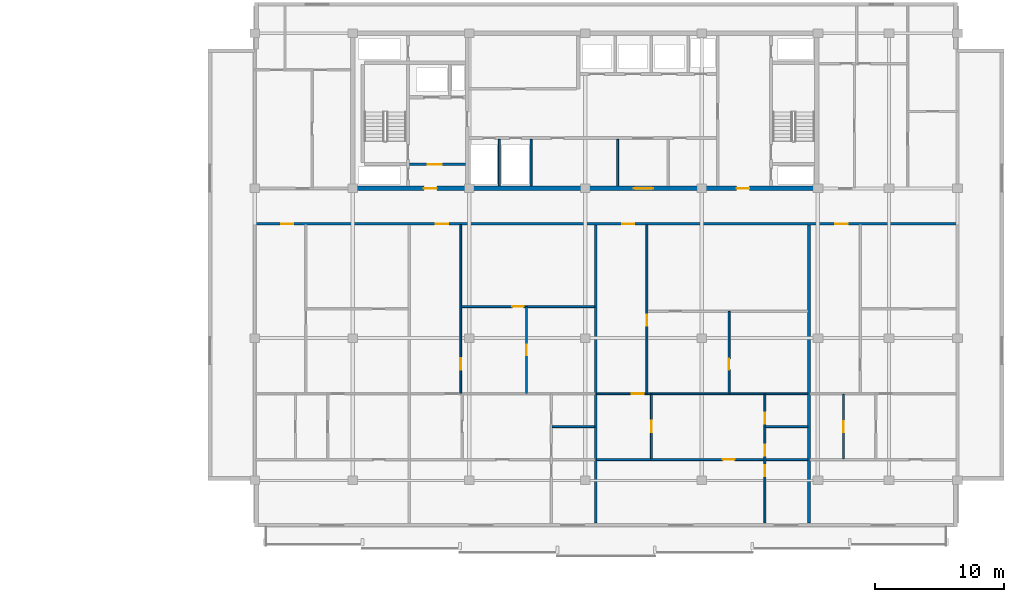
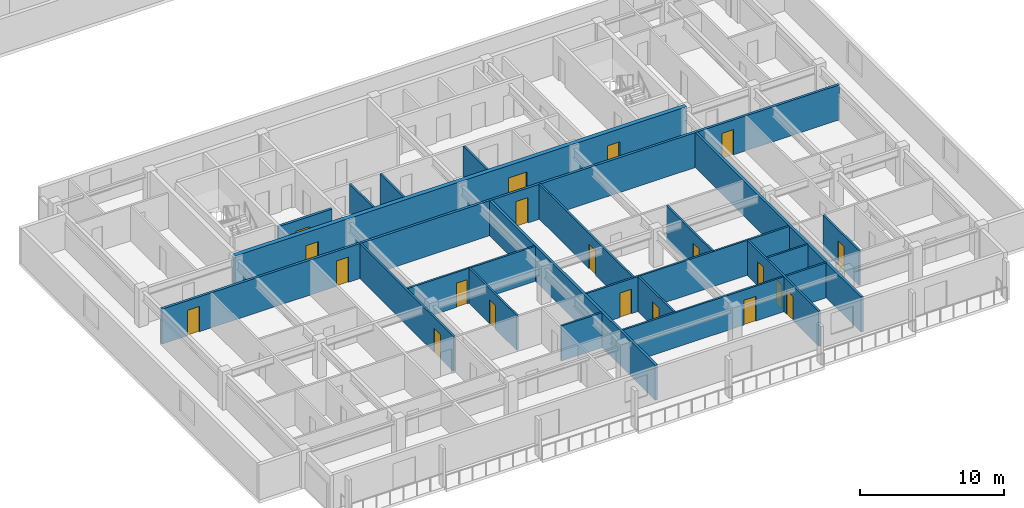
# One storey, part 5 of 21: 20 doors, 20 walls, 20 openings.
"""IFC4 building model written with IfcOpenShell, lengths in metres."""

from ifc_helpers import new_model, si_unit, direction, frame, frame_2d, origin, place, context, subcontext, project, spatial, rectangle, extrude, material, layer, layer_set, type_object, element, fill, save


model = new_model("IFC4")

# Units and contexts
model_context = context("Model", 3, precision=1e-05, world=origin(), true_north=direction((0.0, 1.0)))
body_context = subcontext(model_context, "Body", "Model", "MODEL_VIEW")
ifc_project = project(units=[si_unit("LENGTHUNIT", "METRE"), si_unit("AREAUNIT", "SQUARE_METRE"), si_unit("VOLUMEUNIT", "CUBIC_METRE"), si_unit("PLANEANGLEUNIT", "RADIAN"), si_unit("MASSUNIT", "GRAM", prefix="KILO")], contexts=[model_context])

# Site, building, storey
site_placement = place(None, origin())
site = spatial("IfcSite", under=ifc_project, at=site_placement, CompositionType="ELEMENT")
building_placement = place(site_placement, origin())
building = spatial("IfcBuilding", under=site, at=building_placement, Name="Korimba Cascade Residences", CompositionType="ELEMENT")
storey_placement = place(building_placement, frame((0.0, 0.0, 184.85009765625)))
storey = spatial("IfcBuildingStorey", under=building, at=storey_placement, Name="L53", CompositionType="ELEMENT", Elevation=184.85009765625)

# Wall, openings, doors
ifc_material_1 = material(Name="Concrete C65/80", Category="concrete")
ifc_layer_1 = layer(ifc_material_1, 0.35009765625)
ifc_layer_set_1 = layer_set([ifc_layer_1], Name="Concrete C65/80")
wall_type_1 = type_object("IfcWallType", Name="WAL-CORE-350", PredefinedType="SHEAR", material=ifc_layer_set_1)
wall_1_placement = place(storey_placement, frame((81.925048828125, 18.39990234375, 0.0), z_axis=(0.0, 0.0, 1.0), x_axis=(1.0, 0.0, 0.0)))
wall_1 = element("IfcWall", 1, at=wall_1_placement, inside=storey, type_object=wall_type_1, Name="L53 Core Shear Wall CW-L53-T2-S", PredefinedType="SHEAR", context=body_context, shape_type="SweptSolid", body=[
    extrude(rectangle(XDim=36.264892578125, YDim=0.35009765625, at=frame_2d((18.13232421875, 0.0))), origin(), (0.0, 0.0, 1.0), 3.25),
])
opening_1_placement = place(wall_1_placement, frame((5.675048828125, 0.0, 0.0)))
opening_1 = element("IfcOpeningElement", 2, at=opening_1_placement, cuts=wall_1, Name="Opening D-FD5", PredefinedType="OPENING", context=body_context, shape_type="SweptSolid", body=[
    extrude(rectangle(XDim=1.0, YDim=2.14990234375, at=frame_2d((0.5, 1.074951171875))), frame((0.0, 0.18505859375, 0.0), z_axis=(0.0, -1.0, 0.0), x_axis=(1.0, 0.0, 0.0)), (0.0, 0.0, 1.0), 0.3701171875),
])
opening_2_placement = place(wall_1_placement, frame((21.925048828125, 0.0, 0.0)))
opening_2 = element("IfcOpeningElement", 3, at=opening_2_placement, cuts=wall_1, Name="Opening D-FD8", PredefinedType="OPENING", context=body_context, shape_type="SweptSolid", body=[
    extrude(rectangle(XDim=1.5, YDim=2.199951171875, at=frame_2d((0.75, 1.10009765625))), frame((0.0, 0.18505859375, 0.0), z_axis=(0.0, -1.0, 0.0), x_axis=(1.0, 0.0, 0.0)), (0.0, 0.0, 1.0), 0.3701171875),
])
opening_3_placement = place(wall_1_placement, frame((29.875, 0.0, 0.0)))
opening_3 = element("IfcOpeningElement", 4, at=opening_3_placement, cuts=wall_1, Name="Opening D-FD5", PredefinedType="OPENING", context=body_context, shape_type="SweptSolid", body=[
    extrude(rectangle(XDim=1.0, YDim=2.14990234375, at=frame_2d((0.5, 1.074951171875))), frame((0.0, 0.18505859375, 0.0), z_axis=(0.0, -1.0, 0.0), x_axis=(1.0, 0.0, 0.0)), (0.0, 0.0, 1.0), 0.3701171875),
])
ifc_material_2 = material(Name="Fire-Rated Acoustic Timber Vestibule Door", Category="wood")
door_type_1 = type_object("IfcDoorType", Name="DR-FD90-1000", OperationType="NOTDEFINED", PredefinedType="DOOR", material=ifc_material_2)
door_1_placement = place(opening_1_placement, origin())
door_1 = element("IfcDoor", 5, at=door_1_placement, inside=storey, type_object=door_type_1, Name="L53 T2 West Core Vestibule Fire Door", OperationType="SINGLE_SWING_RIGHT", OverallHeight=2.14990234375, OverallWidth=1.0, PredefinedType="DOOR", context=body_context, shape_type="SweptSolid", body=[
    extrude(rectangle(XDim=1.0, YDim=2.14990234375, at=frame_2d((0.5, 1.074951171875))), frame((0.0, 0.02490234375, 0.0), z_axis=(0.0, -1.0, 0.0), x_axis=(1.0, 0.0, 0.0)), (0.0, 0.0, 1.0), 0.050048828125),
])
fill(opening_1, door_1)
door_2_placement = place(opening_3_placement, origin())
door_2 = element("IfcDoor", 6, at=door_2_placement, inside=storey, type_object=door_type_1, Name="L53 T2 East Stair Vestibule Fire Door", OperationType="SINGLE_SWING_LEFT", OverallHeight=2.14990234375, OverallWidth=1.0, PredefinedType="DOOR", context=body_context, shape_type="SweptSolid", body=[
    extrude(rectangle(XDim=1.0, YDim=2.14990234375, at=frame_2d((0.5, 1.074951171875))), frame((0.0, 0.02490234375, 0.0), z_axis=(0.0, -1.0, 0.0), x_axis=(1.0, 0.0, 0.0)), (0.0, 0.0, 1.0), 0.050048828125),
])
fill(opening_3, door_2)
ifc_material_3 = material(Name="Fire-Rated Glazed Lift Lobby Double Door", Category="glass")
door_type_2 = type_object("IfcDoorType", Name="DR-FD90-1500", OperationType="NOTDEFINED", PredefinedType="DOOR", material=ifc_material_3)
door_3_placement = place(opening_2_placement, origin())
door_3 = element("IfcDoor", 7, at=door_3_placement, inside=storey, type_object=door_type_2, Name="L53 T2 Lift Lobby Fire Door", OperationType="DOUBLE_DOOR_SINGLE_SWING", OverallHeight=2.199951171875, OverallWidth=1.5, PredefinedType="DOOR", context=body_context, shape_type="SweptSolid", body=[
    extrude(rectangle(XDim=1.5, YDim=2.199951171875, at=frame_2d((0.75, 1.10009765625))), frame((0.0, 0.02490234375, 0.0), z_axis=(0.0, -1.0, 0.0), x_axis=(1.0, 0.0, 0.0)), (0.0, 0.0, 1.0), 0.050048828125),
])
fill(opening_2, door_3)

# Walls
ifc_material_4 = material(Name="Precast concrete C40/50", Category="concrete")
ifc_layer_2 = layer(ifc_material_4, 0.199951171875)
ifc_layer_set_2 = layer_set([ifc_layer_2], Name="Precast concrete C40/50")
wall_type_2 = type_object("IfcWallType", Name="WAL-IT-200", PredefinedType="PARTITIONING", material=ifc_layer_set_2)
for number, where, z_axis, x_axis, name in (
    (8, (100.8916015625, -7.5, 0.0), (0.0, 0.0, 1.0), (0.0, 1.0, 0.0), "L53 Partition Wall WAL-L53-T2-DEM-2"),
    (9, (117.408203125, -7.5, 0.0), (0.0, 0.0, 1.0), (0.0, 1.0, 0.0), "L53 Partition Wall WAL-L53-T2-DEM-3"),
):
    element("IfcWall", number, at=place(storey_placement, frame(where, z_axis=z_axis, x_axis=x_axis)), inside=storey, type_object=wall_type_2, Name=name, PredefinedType="PARTITIONING", context=body_context, shape_type="SweptSolid", body=[
        extrude(rectangle(XDim=23.070068359375, YDim=0.199951171875, at=frame_2d((11.53515625, 0.0))), origin(), (0.0, 0.0, 1.0), 2.969970703125),
    ])

# Wall, openings, doors
wall_2_placement = place(storey_placement, frame((74.5, 15.64990234375, 0.0), z_axis=(0.0, 0.0, 1.0), x_axis=(1.0, 0.0, 0.0)))
wall_2 = element("IfcWall", 10, at=wall_2_placement, inside=storey, type_object=wall_type_2, Name="L53 Partition Wall WAL-L53-T2-CORS", PredefinedType="PARTITIONING", context=body_context, shape_type="SweptSolid", body=[
    extrude(rectangle(XDim=54.39990234375, YDim=0.199951171875, at=frame_2d((27.199951171875, 0.0))), origin(), (0.0, 0.0, 1.0), 2.969970703125),
])
opening_4_placement = place(wall_2_placement, frame((2.044921875, 0.0, 0.0)))
opening_4 = element("IfcOpeningElement", 11, at=opening_4_placement, cuts=wall_2, Name="Opening D-UN1", PredefinedType="OPENING", context=body_context, shape_type="SweptSolid", body=[
    extrude(rectangle(XDim=0.949951171875, YDim=2.14990234375, at=frame_2d((0.47509765625, 1.074951171875))), frame((0.0, 0.10986328125, 0.0), z_axis=(0.0, -1.0, 0.0), x_axis=(1.0, 0.0, 0.0)), (0.0, 0.0, 1.0), 0.219970703125),
])
opening_5_placement = place(wall_2_placement, frame((14.0283203125, 0.0, 0.0)))
opening_5 = element("IfcOpeningElement", 12, at=opening_5_placement, cuts=wall_2, Name="Opening D-UN1", PredefinedType="OPENING", context=body_context, shape_type="SweptSolid", body=[
    extrude(rectangle(XDim=0.949951171875, YDim=2.14990234375, at=frame_2d((0.47509765625, 1.074951171875))), frame((0.0, 0.10986328125, 0.0), z_axis=(0.0, -1.0, 0.0), x_axis=(1.0, 0.0, 0.0)), (0.0, 0.0, 1.0), 0.219970703125),
])
opening_6_placement = place(wall_2_placement, frame((28.4365234375, 0.0, 0.0)))
opening_6 = element("IfcOpeningElement", 13, at=opening_6_placement, cuts=wall_2, Name="Opening D-UN1", PredefinedType="OPENING", context=body_context, shape_type="SweptSolid", body=[
    extrude(rectangle(XDim=0.949951171875, YDim=2.14990234375, at=frame_2d((0.47509765625, 1.074951171875))), frame((0.0, 0.10986328125, 0.0), z_axis=(0.0, -1.0, 0.0), x_axis=(1.0, 0.0, 0.0)), (0.0, 0.0, 1.0), 0.219970703125),
])
opening_7_placement = place(wall_2_placement, frame((44.953369140625, 0.0, 0.0)))
opening_7 = element("IfcOpeningElement", 14, at=opening_7_placement, cuts=wall_2, Name="Opening D-UN1", PredefinedType="OPENING", context=body_context, shape_type="SweptSolid", body=[
    extrude(rectangle(XDim=0.949951171875, YDim=2.14990234375, at=frame_2d((0.47509765625, 1.074951171875))), frame((0.0, 0.10986328125, 0.0), z_axis=(0.0, -1.0, 0.0), x_axis=(1.0, 0.0, 0.0)), (0.0, 0.0, 1.0), 0.219970703125),
])
ifc_material_5 = material(Name="Fire-Rated Hardwood Apartment Entrance Door", Category="wood")
door_type_3 = type_object("IfcDoorType", Name="DR-FD60-950", OperationType="NOTDEFINED", PredefinedType="DOOR", material=ifc_material_5)
door_4_placement = place(opening_4_placement, origin())
door_4 = element("IfcDoor", 15, at=door_4_placement, inside=storey, type_object=door_type_3, Name="Unit L53-T2-U01 Entrance Door", OperationType="SINGLE_SWING_RIGHT", OverallHeight=2.14990234375, OverallWidth=0.949951171875, PredefinedType="DOOR", context=body_context, shape_type="SweptSolid", body=[
    extrude(rectangle(XDim=0.949951171875, YDim=2.14990234375, at=frame_2d((0.47509765625, 1.074951171875))), frame((0.0, 0.02490234375, 0.0), z_axis=(0.0, -1.0, 0.0), x_axis=(1.0, 0.0, 0.0)), (0.0, 0.0, 1.0), 0.050048828125),
])
fill(opening_4, door_4)
door_5_placement = place(opening_5_placement, origin())
door_5 = element("IfcDoor", 16, at=door_5_placement, inside=storey, type_object=door_type_3, Name="Unit L53-T2-U02 Entrance Door", OperationType="SINGLE_SWING_LEFT", OverallHeight=2.14990234375, OverallWidth=0.949951171875, PredefinedType="DOOR", context=body_context, shape_type="SweptSolid", body=[
    extrude(rectangle(XDim=0.949951171875, YDim=2.14990234375, at=frame_2d((0.47509765625, 1.074951171875))), frame((0.0, 0.02490234375, 0.0), z_axis=(0.0, -1.0, 0.0), x_axis=(1.0, 0.0, 0.0)), (0.0, 0.0, 1.0), 0.050048828125),
])
fill(opening_5, door_5)
door_6_placement = place(opening_6_placement, origin())
door_6 = element("IfcDoor", 17, at=door_6_placement, inside=storey, type_object=door_type_3, Name="Unit L53-T2-U03 Entrance Door", OperationType="SINGLE_SWING_RIGHT", OverallHeight=2.14990234375, OverallWidth=0.949951171875, PredefinedType="DOOR", context=body_context, shape_type="SweptSolid", body=[
    extrude(rectangle(XDim=0.949951171875, YDim=2.14990234375, at=frame_2d((0.47509765625, 1.074951171875))), frame((0.0, 0.02490234375, 0.0), z_axis=(0.0, -1.0, 0.0), x_axis=(1.0, 0.0, 0.0)), (0.0, 0.0, 1.0), 0.050048828125),
])
fill(opening_6, door_6)
door_7_placement = place(opening_7_placement, origin())
door_7 = element("IfcDoor", 18, at=door_7_placement, inside=storey, type_object=door_type_3, Name="Unit L53-T2-U04 Entrance Door", OperationType="SINGLE_SWING_LEFT", OverallHeight=2.14990234375, OverallWidth=0.949951171875, PredefinedType="DOOR", context=body_context, shape_type="SweptSolid", body=[
    extrude(rectangle(XDim=0.949951171875, YDim=2.14990234375, at=frame_2d((0.47509765625, 1.074951171875))), frame((0.0, 0.02490234375, 0.0), z_axis=(0.0, -1.0, 0.0), x_axis=(1.0, 0.0, 0.0)), (0.0, 0.0, 1.0), 0.050048828125),
])
fill(opening_7, door_7)

# Walls
ifc_material_6 = material(Name="Insulated Acoustic Stud Partition", Category="gypsum")
ifc_layer_3 = layer(ifc_material_6, 0.14990234375)
ifc_layer_set_3 = layer_set([ifc_layer_3], Name="Insulated Acoustic Stud Partition")
wall_type_3 = type_object("IfcWallType", Name="WAL-PART-150", PredefinedType="PARTITIONING", material=ifc_layer_set_3)
for number, where, z_axis, x_axis, name in (
    (19, (93.449951171875, 18.60009765625, 0.0), (0.0, 0.0, 1.0), (0.0, 1.0, 0.0), "L53 Partition Wall CW-L53-T2-ERDIV"),
    (20, (95.89990234375, 18.60009765625, 0.0), (0.0, 0.0, 1.0), (0.0, 1.0, 0.0), "L53 Partition Wall CW-L53-T2-PRDIV"),
    (21, (102.60009765625, 18.60009765625, 0.0), (0.0, 0.0, 1.0), (0.0, 1.0, 0.0), "L53 Partition Wall CW-L53-T2-THW"),
):
    element("IfcWall", number, at=place(storey_placement, frame(where, z_axis=z_axis, x_axis=x_axis)), inside=storey, type_object=wall_type_3, Name=name, PredefinedType="PARTITIONING", context=body_context, shape_type="SweptSolid", body=[
        extrude(rectangle(XDim=3.599853515625, YDim=0.14990234375, at=frame_2d((1.7998046875, 0.0))), origin(), (0.0, 0.0, 1.0), 2.969970703125),
    ])

# Wall, opening, door
wall_3_placement = place(storey_placement, frame((95.54248046875, 2.5400390625, 0.0), z_axis=(0.0, 0.0, 1.0), x_axis=(0.0, 1.0, 0.0)))
wall_3 = element("IfcWall", 22, at=wall_3_placement, inside=storey, type_object=wall_type_3, Name="L53 Partition Wall WAL-L53-T2-U02-FMV", PredefinedType="PARTITIONING", context=body_context, shape_type="SweptSolid", body=[
    extrude(rectangle(XDim=6.705078125, YDim=0.14990234375, at=frame_2d((3.3525390625, 0.0))), origin(), (0.0, 0.0, 1.0), 2.969970703125),
])
opening_8_placement = place(wall_3_placement, frame((2.9326171875, 0.0, 0.0)))
opening_8 = element("IfcOpeningElement", 23, at=opening_8_placement, cuts=wall_3, Name="Opening D-BT1", PredefinedType="OPENING", context=body_context, shape_type="SweptSolid", body=[
    extrude(rectangle(XDim=0.840087890625, YDim=2.0400390625, at=frame_2d((0.419921875, 1.02001953125))), frame((0.0, 0.0849609375, 0.0), z_axis=(0.0, -1.0, 0.0), x_axis=(1.0, 0.0, 0.0)), (0.0, 0.0, 1.0), 0.169921875),
])
ifc_material_7 = material(Name="Moisture-Resistant Bathroom Timber Door", Category="wood")
door_type_4 = type_object("IfcDoorType", Name="DR-INT-850", OperationType="NOTDEFINED", PredefinedType="DOOR", material=ifc_material_7)
door_8_placement = place(opening_8_placement, origin())
door_8 = element("IfcDoor", 24, at=door_8_placement, inside=storey, type_object=door_type_4, Name="L53-T2-U02 Wardrobe Door", OperationType="SINGLE_SWING_RIGHT", OverallHeight=2.0400390625, OverallWidth=0.840087890625, PredefinedType="DOOR", context=body_context, shape_type="SweptSolid", body=[
    extrude(rectangle(XDim=0.840087890625, YDim=2.0400390625, at=frame_2d((0.419921875, 1.02001953125))), frame((0.0, 0.02490234375, 0.0), z_axis=(0.0, -1.0, 0.0), x_axis=(1.0, 0.0, 0.0)), (0.0, 0.0, 1.0), 0.050048828125),
])
fill(opening_8, door_8)

wall_4_placement = place(storey_placement, frame((90.51318359375, 9.2451171875, 0.0), z_axis=(0.0, 0.0, 1.0), x_axis=(1.0, 0.0, 0.0)))
wall_4 = element("IfcWall", 25, at=wall_4_placement, inside=storey, type_object=wall_type_3, Name="L53 Partition Wall WAL-L53-T2-U02-FMH", PredefinedType="PARTITIONING", context=body_context, shape_type="SweptSolid", body=[
    extrude(rectangle(XDim=10.29833984375, YDim=0.14990234375, at=frame_2d((5.149169921875, 0.0))), origin(), (0.0, 0.0, 1.0), 2.969970703125),
])
opening_9_placement = place(wall_4_placement, frame((3.92919921875, 0.0, 0.0)))
opening_9 = element("IfcOpeningElement", 26, at=opening_9_placement, cuts=wall_4, Name="Opening D-IN2", PredefinedType="OPENING", context=body_context, shape_type="SweptSolid", body=[
    extrude(rectangle(XDim=0.8798828125, YDim=2.06005859375, at=frame_2d((0.43994140625, 1.030029296875))), frame((0.0, 0.0849609375, 0.0), z_axis=(0.0, -1.0, 0.0), x_axis=(1.0, 0.0, 0.0)), (0.0, 0.0, 1.0), 0.169921875),
])
ifc_material_8 = material(Name="Acoustic Timber Bedroom Door", Category="wood")
door_type_5 = type_object("IfcDoorType", Name="DR-INT-880", OperationType="NOTDEFINED", PredefinedType="DOOR", material=ifc_material_8)
door_9_placement = place(opening_9_placement, origin())
door_9 = element("IfcDoor", 27, at=door_9_placement, inside=storey, type_object=door_type_5, Name="L53-T2-U02 Library Salon Door", OperationType="SINGLE_SWING_LEFT", OverallHeight=2.06005859375, OverallWidth=0.8798828125, PredefinedType="DOOR", context=body_context, shape_type="SweptSolid", body=[
    extrude(rectangle(XDim=0.8798828125, YDim=2.06005859375, at=frame_2d((0.43994140625, 1.030029296875))), frame((0.0, 0.02490234375, 0.0), z_axis=(0.0, -1.0, 0.0), x_axis=(1.0, 0.0, 0.0)), (0.0, 0.0, 1.0), 0.050048828125),
])
fill(opening_9, door_9)

wall_5_placement = place(storey_placement, frame((90.453369140625, 2.5400390625, 0.0), z_axis=(0.0, 0.0, 1.0), x_axis=(0.0, 1.0, 0.0)))
wall_5 = element("IfcWall", 28, at=wall_5_placement, inside=storey, type_object=wall_type_3, Name="L53 Partition Wall WAL-L53-T2-U02-FV", PredefinedType="PARTITIONING", context=body_context, shape_type="SweptSolid", body=[
    extrude(rectangle(XDim=13.050048828125, YDim=0.14990234375, at=frame_2d((6.52490234375, 0.0))), origin(), (0.0, 0.0, 1.0), 2.969970703125),
])
opening_10_placement = place(wall_5_placement, frame((1.81298828125, 0.0, 0.0)))
opening_10 = element("IfcOpeningElement", 29, at=opening_10_placement, cuts=wall_5, Name="Opening D-IN2", PredefinedType="OPENING", context=body_context, shape_type="SweptSolid", body=[
    extrude(rectangle(XDim=0.8798828125, YDim=2.06005859375, at=frame_2d((0.43994140625, 1.030029296875))), frame((0.0, 0.0849609375, 0.0), z_axis=(0.0, -1.0, 0.0), x_axis=(1.0, 0.0, 0.0)), (0.0, 0.0, 1.0), 0.169921875),
])
door_10_placement = place(opening_10_placement, origin())
door_10 = element("IfcDoor", 30, at=door_10_placement, inside=storey, type_object=door_type_5, Name="L53-T2-U02 Media Lounge Door", OperationType="SINGLE_SWING_RIGHT", OverallHeight=2.06005859375, OverallWidth=0.8798828125, PredefinedType="DOOR", context=body_context, shape_type="SweptSolid", body=[
    extrude(rectangle(XDim=0.8798828125, YDim=2.06005859375, at=frame_2d((0.43994140625, 1.030029296875))), frame((0.0, 0.02490234375, 0.0), z_axis=(0.0, -1.0, 0.0), x_axis=(1.0, 0.0, 0.0)), (0.0, 0.0, 1.0), 0.050048828125),
])
fill(opening_10, door_10)

# Wall
wall_6_placement = place(storey_placement, frame((97.531494140625, -0.0400390625, 0.0), z_axis=(0.0, 0.0, 1.0), x_axis=(1.0, 0.0, 0.0)))
element("IfcWall", 31, at=wall_6_placement, inside=storey, type_object=wall_type_3, Name="L53 Partition Wall WAL-L53-T2-U02-BLDIV", PredefinedType="PARTITIONING", context=body_context, shape_type="SweptSolid", body=[
    extrude(rectangle(XDim=3.280029296875, YDim=0.14990234375, at=frame_2d((1.64013671875, 0.0))), origin(), (0.0, 0.0, 1.0), 2.969970703125),
])

# Wall, opening, door
wall_7_placement = place(storey_placement, frame((111.224853515625, 2.5400390625, 0.0), z_axis=(0.0, 0.0, 1.0), x_axis=(0.0, 1.0, 0.0)))
wall_7 = element("IfcWall", 32, at=wall_7_placement, inside=storey, type_object=wall_type_3, Name="L53 Partition Wall WAL-L53-T2-U03-FMV", PredefinedType="PARTITIONING", context=body_context, shape_type="SweptSolid", body=[
    extrude(rectangle(XDim=6.344970703125, YDim=0.14990234375, at=frame_2d((3.17236328125, 0.0))), origin(), (0.0, 0.0, 1.0), 2.969970703125),
])
opening_11_placement = place(wall_7_placement, frame((1.821533203125, 0.0, 0.0)))
opening_11 = element("IfcOpeningElement", 33, at=opening_11_placement, cuts=wall_7, Name="Opening D-BT1", PredefinedType="OPENING", context=body_context, shape_type="SweptSolid", body=[
    extrude(rectangle(XDim=0.840087890625, YDim=2.0400390625, at=frame_2d((0.419921875, 1.02001953125))), frame((0.0, 0.0849609375, 0.0), z_axis=(0.0, -1.0, 0.0), x_axis=(1.0, 0.0, 0.0)), (0.0, 0.0, 1.0), 0.169921875),
])
door_11_placement = place(opening_11_placement, origin())
door_11 = element("IfcDoor", 34, at=door_11_placement, inside=storey, type_object=door_type_4, Name="L53-T2-U03 Wardrobe Door", OperationType="SINGLE_SWING_LEFT", OverallHeight=2.0400390625, OverallWidth=0.840087890625, PredefinedType="DOOR", context=body_context, shape_type="SweptSolid", body=[
    extrude(rectangle(XDim=0.840087890625, YDim=2.0400390625, at=frame_2d((0.419921875, 1.02001953125))), frame((0.0, 0.02490234375, 0.0), z_axis=(0.0, -1.0, 0.0), x_axis=(1.0, 0.0, 0.0)), (0.0, 0.0, 1.0), 0.050048828125),
])
fill(opening_11, door_11)

wall_8_placement = place(storey_placement, frame((104.861572265625, 2.5400390625, 0.0), z_axis=(0.0, 0.0, 1.0), x_axis=(0.0, 1.0, 0.0)))
wall_8 = element("IfcWall", 35, at=wall_8_placement, inside=storey, type_object=wall_type_3, Name="L53 Partition Wall WAL-L53-T2-U03-FV", PredefinedType="PARTITIONING", context=body_context, shape_type="SweptSolid", body=[
    extrude(rectangle(XDim=13.050048828125, YDim=0.14990234375, at=frame_2d((6.52490234375, 0.0))), origin(), (0.0, 0.0, 1.0), 2.969970703125),
])
opening_12_placement = place(wall_8_placement, frame((5.215087890625, 0.0, 0.0)))
opening_12 = element("IfcOpeningElement", 36, at=opening_12_placement, cuts=wall_8, Name="Opening D-IN2", PredefinedType="OPENING", context=body_context, shape_type="SweptSolid", body=[
    extrude(rectangle(XDim=0.8798828125, YDim=2.06005859375, at=frame_2d((0.43994140625, 1.030029296875))), frame((0.0, 0.0849609375, 0.0), z_axis=(0.0, -1.0, 0.0), x_axis=(1.0, 0.0, 0.0)), (0.0, 0.0, 1.0), 0.169921875),
])
door_12_placement = place(opening_12_placement, origin())
door_12 = element("IfcDoor", 37, at=door_12_placement, inside=storey, type_object=door_type_5, Name="L53-T2-U03 Media Lounge Door", OperationType="SINGLE_SWING_LEFT", OverallHeight=2.06005859375, OverallWidth=0.8798828125, PredefinedType="DOOR", context=body_context, shape_type="SweptSolid", body=[
    extrude(rectangle(XDim=0.8798828125, YDim=2.06005859375, at=frame_2d((0.43994140625, 1.030029296875))), frame((0.0, 0.02490234375, 0.0), z_axis=(0.0, -1.0, 0.0), x_axis=(1.0, 0.0, 0.0)), (0.0, 0.0, 1.0), 0.050048828125),
])
fill(opening_12, door_12)

wall_9_placement = place(storey_placement, frame((105.211669921875, -2.5400390625, 0.0), z_axis=(0.0, 0.0, 1.0), x_axis=(0.0, 1.0, 0.0)))
wall_9 = element("IfcWall", 38, at=wall_9_placement, inside=storey, type_object=wall_type_3, Name="L53 Partition Wall WAL-L53-T2-U03-VDIN", PredefinedType="PARTITIONING", context=body_context, shape_type="SweptSolid", body=[
    extrude(rectangle(XDim=5.0, YDim=0.14990234375, at=frame_2d((2.5, 0.0))), origin(), (0.0, 0.0, 1.0), 2.969970703125),
])
opening_13_placement = place(wall_9_placement, frame((2.06005859375, 0.0, 0.0)))
opening_13 = element("IfcOpeningElement", 39, at=opening_13_placement, cuts=wall_9, Name="Opening D-IN2", PredefinedType="OPENING", context=body_context, shape_type="SweptSolid", body=[
    extrude(rectangle(XDim=0.8798828125, YDim=2.06005859375, at=frame_2d((0.43994140625, 1.030029296875))), frame((0.0, 0.0849609375, 0.0), z_axis=(0.0, -1.0, 0.0), x_axis=(1.0, 0.0, 0.0)), (0.0, 0.0, 1.0), 0.169921875),
])
door_13_placement = place(opening_13_placement, origin())
door_13 = element("IfcDoor", 40, at=door_13_placement, inside=storey, type_object=door_type_5, Name="L53-T2-U03 Dining Room Door", OperationType="SINGLE_SWING_RIGHT", OverallHeight=2.06005859375, OverallWidth=0.8798828125, PredefinedType="DOOR", context=body_context, shape_type="SweptSolid", body=[
    extrude(rectangle(XDim=0.8798828125, YDim=2.06005859375, at=frame_2d((0.43994140625, 1.030029296875))), frame((0.0, 0.02490234375, 0.0), z_axis=(0.0, -1.0, 0.0), x_axis=(1.0, 0.0, 0.0)), (0.0, 0.0, 1.0), 0.050048828125),
])
fill(opening_13, door_13)

# Wall
wall_10_placement = place(storey_placement, frame((114.04833984375, -0.0400390625, 0.0), z_axis=(0.0, 0.0, 1.0), x_axis=(1.0, 0.0, 0.0)))
element("IfcWall", 41, at=wall_10_placement, inside=storey, type_object=wall_type_3, Name="L53 Partition Wall WAL-L53-T2-U03-BLDIV", PredefinedType="PARTITIONING", context=body_context, shape_type="SweptSolid", body=[
    extrude(rectangle(XDim=3.280029296875, YDim=0.14990234375, at=frame_2d((1.64013671875, 0.0))), origin(), (0.0, 0.0, 1.0), 2.969970703125),
])

# Wall, openings, doors
wall_11_placement = place(storey_placement, frame((113.98828125, -7.5, 0.0), z_axis=(0.0, 0.0, 1.0), x_axis=(0.0, 1.0, 0.0)))
wall_11 = element("IfcWall", 42, at=wall_11_placement, inside=storey, type_object=wall_type_3, Name="L53 Partition Wall WAL-L53-T2-U03-V1", PredefinedType="PARTITIONING", context=body_context, shape_type="SweptSolid", body=[
    extrude(rectangle(XDim=9.9599609375, YDim=0.14990234375, at=frame_2d((4.97998046875, 0.0))), origin(), (0.0, 0.0, 1.0), 2.969970703125),
])
opening_14_placement = place(wall_11_placement, frame((5.199951171875, 0.0, 0.0)))
opening_14 = element("IfcOpeningElement", 43, at=opening_14_placement, cuts=wall_11, Name="Opening D-BT1", PredefinedType="OPENING", context=body_context, shape_type="SweptSolid", body=[
    extrude(rectangle(XDim=0.840087890625, YDim=2.0400390625, at=frame_2d((0.419921875, 1.02001953125))), frame((0.0, 0.0849609375, 0.0), z_axis=(0.0, -1.0, 0.0), x_axis=(1.0, 0.0, 0.0)), (0.0, 0.0, 1.0), 0.169921875),
])
opening_15_placement = place(wall_11_placement, frame((7.689697265625, 0.0, 0.0)))
opening_15 = element("IfcOpeningElement", 44, at=opening_15_placement, cuts=wall_11, Name="Opening D-BT1", PredefinedType="OPENING", context=body_context, shape_type="SweptSolid", body=[
    extrude(rectangle(XDim=0.840087890625, YDim=2.0400390625, at=frame_2d((0.419921875, 1.02001953125))), frame((0.0, 0.0849609375, 0.0), z_axis=(0.0, -1.0, 0.0), x_axis=(1.0, 0.0, 0.0)), (0.0, 0.0, 1.0), 0.169921875),
])
opening_16_placement = place(wall_11_placement, frame((3.60009765625, 0.0, 0.0)))
opening_16 = element("IfcOpeningElement", 45, at=opening_16_placement, cuts=wall_11, Name="Opening D-IN2", PredefinedType="OPENING", context=body_context, shape_type="SweptSolid", body=[
    extrude(rectangle(XDim=0.8798828125, YDim=2.06005859375, at=frame_2d((0.43994140625, 1.030029296875))), frame((0.0, 0.0849609375, 0.0), z_axis=(0.0, -1.0, 0.0), x_axis=(1.0, 0.0, 0.0)), (0.0, 0.0, 1.0), 0.169921875),
])
door_14_placement = place(opening_14_placement, origin())
door_14 = element("IfcDoor", 46, at=door_14_placement, inside=storey, type_object=door_type_4, Name="L53-T2-U03 Bathroom Door", OperationType="SINGLE_SWING_LEFT", OverallHeight=2.0400390625, OverallWidth=0.840087890625, PredefinedType="DOOR", context=body_context, shape_type="SweptSolid", body=[
    extrude(rectangle(XDim=0.840087890625, YDim=2.0400390625, at=frame_2d((0.419921875, 1.02001953125))), frame((0.0, 0.02490234375, 0.0), z_axis=(0.0, -1.0, 0.0), x_axis=(1.0, 0.0, 0.0)), (0.0, 0.0, 1.0), 0.050048828125),
])
fill(opening_14, door_14)
door_15_placement = place(opening_15_placement, origin())
door_15 = element("IfcDoor", 47, at=door_15_placement, inside=storey, type_object=door_type_4, Name="L53-T2-U03 Laundry Door", OperationType="SINGLE_SWING_RIGHT", OverallHeight=2.0400390625, OverallWidth=0.840087890625, PredefinedType="DOOR", context=body_context, shape_type="SweptSolid", body=[
    extrude(rectangle(XDim=0.840087890625, YDim=2.0400390625, at=frame_2d((0.419921875, 1.02001953125))), frame((0.0, 0.02490234375, 0.0), z_axis=(0.0, -1.0, 0.0), x_axis=(1.0, 0.0, 0.0)), (0.0, 0.0, 1.0), 0.050048828125),
])
fill(opening_15, door_15)
door_16_placement = place(opening_16_placement, origin())
door_16 = element("IfcDoor", 48, at=door_16_placement, inside=storey, type_object=door_type_5, Name="L53-T2-U03 Bedroom 1 Door", OperationType="SINGLE_SWING_LEFT", OverallHeight=2.06005859375, OverallWidth=0.8798828125, PredefinedType="DOOR", context=body_context, shape_type="SweptSolid", body=[
    extrude(rectangle(XDim=0.8798828125, YDim=2.06005859375, at=frame_2d((0.43994140625, 1.030029296875))), frame((0.0, 0.02490234375, 0.0), z_axis=(0.0, -1.0, 0.0), x_axis=(1.0, 0.0, 0.0)), (0.0, 0.0, 1.0), 0.050048828125),
])
fill(opening_16, door_16)

# Wall, opening, door
wall_12_placement = place(storey_placement, frame((100.9716796875, 2.5, 0.0), z_axis=(0.0, 0.0, 1.0), x_axis=(1.0, 0.0, 0.0)))
wall_12 = element("IfcWall", 49, at=wall_12_placement, inside=storey, type_object=wall_type_3, Name="L53 Partition Wall WAL-L53-T2-U03-MW", PredefinedType="PARTITIONING", context=body_context, shape_type="SweptSolid", body=[
    extrude(rectangle(XDim=16.356689453125, YDim=0.14990234375, at=frame_2d((8.17822265625, 0.0))), origin(), (0.0, 0.0, 1.0), 2.969970703125),
])
opening_17_placement = place(wall_12_placement, frame((2.719970703125, 0.0, 0.0)))
opening_17 = element("IfcOpeningElement", 50, at=opening_17_placement, cuts=wall_12, Name="Opening D-IN1", PredefinedType="OPENING", context=body_context, shape_type="SweptSolid", body=[
    extrude(rectangle(XDim=0.919921875, YDim=2.080078125, at=frame_2d((0.4599609375, 1.0400390625))), frame((0.0, 0.0849609375, 0.0), z_axis=(0.0, -1.0, 0.0), x_axis=(1.0, 0.0, 0.0)), (0.0, 0.0, 1.0), 0.169921875),
])
ifc_material_9 = material(Name="Acoustic Timber Living Door", Category="wood")
door_type_6 = type_object("IfcDoorType", Name="DR-INT-920", OperationType="NOTDEFINED", PredefinedType="DOOR", material=ifc_material_9)
door_17_placement = place(opening_17_placement, origin())
door_17 = element("IfcDoor", 51, at=door_17_placement, inside=storey, type_object=door_type_6, Name="L53-T2-U03 Kitchen Archway Door", OperationType="SINGLE_SWING_RIGHT", OverallHeight=2.080078125, OverallWidth=0.919921875, PredefinedType="DOOR", context=body_context, shape_type="SweptSolid", body=[
    extrude(rectangle(XDim=0.919921875, YDim=2.080078125, at=frame_2d((0.4599609375, 1.0400390625))), frame((0.0, 0.02490234375, 0.0), z_axis=(0.0, -1.0, 0.0), x_axis=(1.0, 0.0, 0.0)), (0.0, 0.0, 1.0), 0.050048828125),
])
fill(opening_17, door_17)

wall_13_placement = place(storey_placement, frame((100.9716796875, -2.60009765625, 0.0), z_axis=(0.0, 0.0, 1.0), x_axis=(1.0, 0.0, 0.0)))
wall_13 = element("IfcWall", 52, at=wall_13_placement, inside=storey, type_object=wall_type_3, Name="L53 Partition Wall WAL-L53-T2-U03-HZ", PredefinedType="PARTITIONING", context=body_context, shape_type="SweptSolid", body=[
    extrude(rectangle(XDim=16.356689453125, YDim=0.14990234375, at=frame_2d((8.17822265625, 0.0))), origin(), (0.0, 0.0, 1.0), 2.969970703125),
])
opening_18_placement = place(wall_13_placement, frame((9.742919921875, 0.0, 0.0)))
opening_18 = element("IfcOpeningElement", 53, at=opening_18_placement, cuts=wall_13, Name="Opening D-IN0", PredefinedType="OPENING", context=body_context, shape_type="SweptSolid", body=[
    extrude(rectangle(XDim=0.93994140625, YDim=2.10009765625, at=frame_2d((0.469970703125, 1.050048828125))), frame((0.0, 0.0849609375, 0.0), z_axis=(0.0, -1.0, 0.0), x_axis=(1.0, 0.0, 0.0)), (0.0, 0.0, 1.0), 0.169921875),
])
ifc_material_10 = material(Name="Acoustic Timber Living Archway Door", Category="wood")
door_type_7 = type_object("IfcDoorType", Name="DR-INT-950", OperationType="NOTDEFINED", PredefinedType="DOOR", material=ifc_material_10)
door_18_placement = place(opening_18_placement, origin())
door_18 = element("IfcDoor", 54, at=door_18_placement, inside=storey, type_object=door_type_7, Name="L53-T2-U03 Living Archway Door", OperationType="SINGLE_SWING_LEFT", OverallHeight=2.10009765625, OverallWidth=0.93994140625, PredefinedType="DOOR", context=body_context, shape_type="SweptSolid", body=[
    extrude(rectangle(XDim=0.93994140625, YDim=2.10009765625, at=frame_2d((0.469970703125, 1.050048828125))), frame((0.0, 0.02490234375, 0.0), z_axis=(0.0, -1.0, 0.0), x_axis=(1.0, 0.0, 0.0)), (0.0, 0.0, 1.0), 0.050048828125),
])
fill(opening_18, door_18)

wall_14_placement = place(storey_placement, frame((120.080078125, -2.5400390625, 0.0), z_axis=(0.0, 0.0, 1.0), x_axis=(0.0, 1.0, 0.0)))
wall_14 = element("IfcWall", 55, at=wall_14_placement, inside=storey, type_object=wall_type_3, Name="L53 Partition Wall WAL-L53-T2-U04-CLS", PredefinedType="PARTITIONING", context=body_context, shape_type="SweptSolid", body=[
    extrude(rectangle(XDim=5.0, YDim=0.14990234375, at=frame_2d((2.5, 0.0))), origin(), (0.0, 0.0, 1.0), 2.969970703125),
])
opening_19_placement = place(wall_14_placement, frame((2.080078125, 0.0, 0.0)))
opening_19 = element("IfcOpeningElement", 56, at=opening_19_placement, cuts=wall_14, Name="Opening D-BT1", PredefinedType="OPENING", context=body_context, shape_type="SweptSolid", body=[
    extrude(rectangle(XDim=0.840087890625, YDim=2.0400390625, at=frame_2d((0.419921875, 1.02001953125))), frame((0.0, 0.0849609375, 0.0), z_axis=(0.0, -1.0, 0.0), x_axis=(1.0, 0.0, 0.0)), (0.0, 0.0, 1.0), 0.169921875),
])
door_19_placement = place(opening_19_placement, origin())
door_19 = element("IfcDoor", 57, at=door_19_placement, inside=storey, type_object=door_type_4, Name="L53-T2-U04 Closet Door", OperationType="SINGLE_SWING_RIGHT", OverallHeight=2.0400390625, OverallWidth=0.840087890625, PredefinedType="DOOR", context=body_context, shape_type="SweptSolid", body=[
    extrude(rectangle(XDim=0.840087890625, YDim=2.0400390625, at=frame_2d((0.419921875, 1.02001953125))), frame((0.0, 0.02490234375, 0.0), z_axis=(0.0, -1.0, 0.0), x_axis=(1.0, 0.0, 0.0)), (0.0, 0.0, 1.0), 0.050048828125),
])
fill(opening_19, door_19)

ifc_material_11 = material(Name="Concrete C40/50", Category="concrete")
ifc_layer_4 = layer(ifc_material_11, 0.199951171875)
ifc_layer_set_4 = layer_set([ifc_layer_4], Name="Concrete C40/50")
wall_type_4 = type_object("IfcWallType", Name="WAL-PART-200", PredefinedType="PARTITIONING", material=ifc_layer_set_4)
wall_15_placement = place(storey_placement, frame((86.5, 20.25, 0.0), z_axis=(0.0, 0.0, 1.0), x_axis=(1.0, 0.0, 0.0)))
wall_15 = element("IfcWall", 58, at=wall_15_placement, inside=storey, type_object=wall_type_4, Name="L53 Partition Wall CW-L53-T2-FFLS", PredefinedType="PARTITIONING", context=body_context, shape_type="SweptSolid", body=[
    extrude(rectangle(XDim=4.320068359375, YDim=0.199951171875, at=frame_2d((2.16015625, 0.0))), origin(), (0.0, 0.0, 1.0), 2.969970703125),
])
opening_20_placement = place(wall_15_placement, frame((1.39990234375, 0.0, 0.0)))
opening_20 = element("IfcOpeningElement", 59, at=opening_20_placement, cuts=wall_15, Name="Opening D-FD1", PredefinedType="OPENING", context=body_context, shape_type="SweptSolid", body=[
    extrude(rectangle(XDim=1.10009765625, YDim=2.10009765625, at=frame_2d((0.550048828125, 1.050048828125))), frame((0.0, 0.10986328125, 0.0), z_axis=(0.0, -1.0, 0.0), x_axis=(1.0, 0.0, 0.0)), (0.0, 0.0, 1.0), 0.219970703125),
])
ifc_material_12 = material(Name="Fire-Rated Steel Core Door", Category="steel")
door_type_8 = type_object("IfcDoorType", Name="DR-FD120-1100", OperationType="NOTDEFINED", PredefinedType="DOOR", material=ifc_material_12)
door_20_placement = place(opening_20_placement, origin())
door_20 = element("IfcDoor", 60, at=door_20_placement, inside=storey, type_object=door_type_8, Name="L53 T2 Firefighting Lobby Door", OperationType="SINGLE_SWING_RIGHT", OverallHeight=2.10009765625, OverallWidth=1.10009765625, PredefinedType="DOOR", context=body_context, shape_type="SweptSolid", body=[
    extrude(rectangle(XDim=1.10009765625, YDim=2.10009765625, at=frame_2d((0.550048828125, 1.050048828125))), frame((0.0, 0.02490234375, 0.0), z_axis=(0.0, -1.0, 0.0), x_axis=(1.0, 0.0, 0.0)), (0.0, 0.0, 1.0), 0.050048828125),
])
fill(opening_20, door_20)

save(model, "model.ifc")
